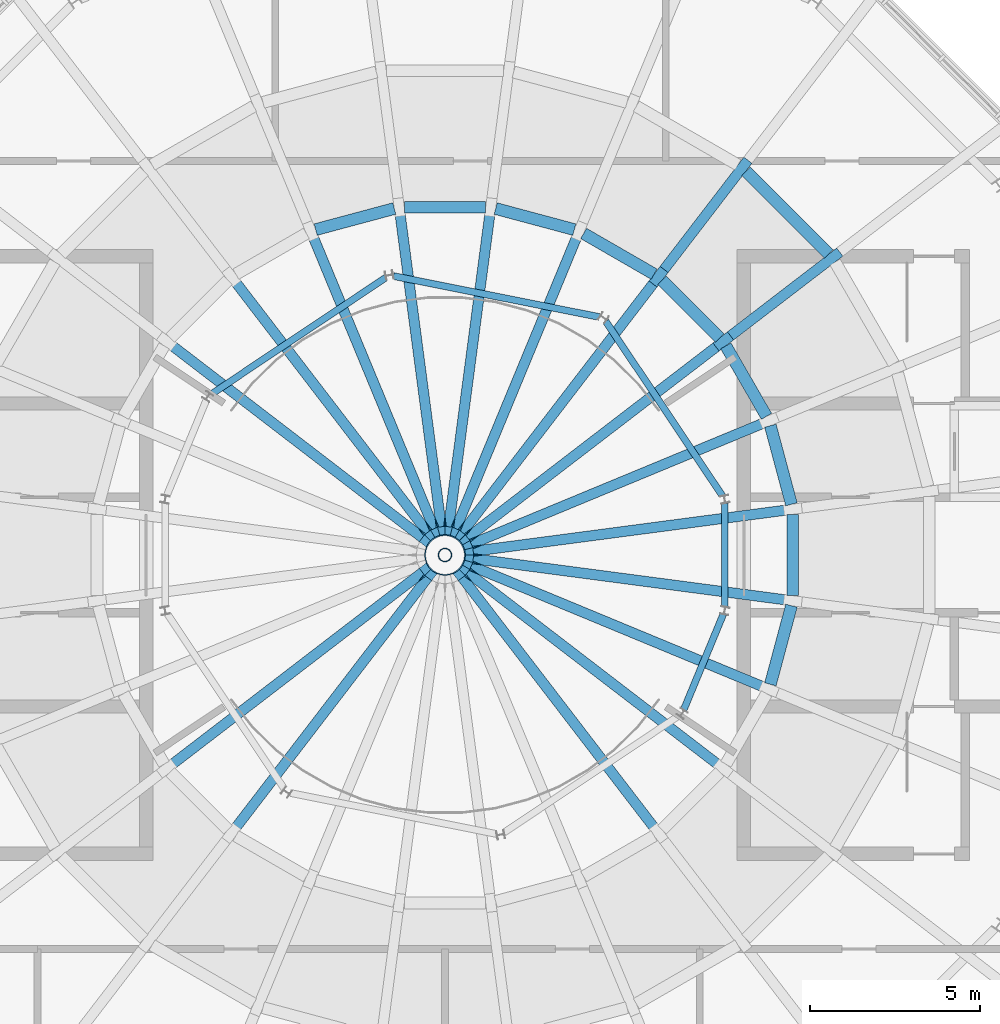
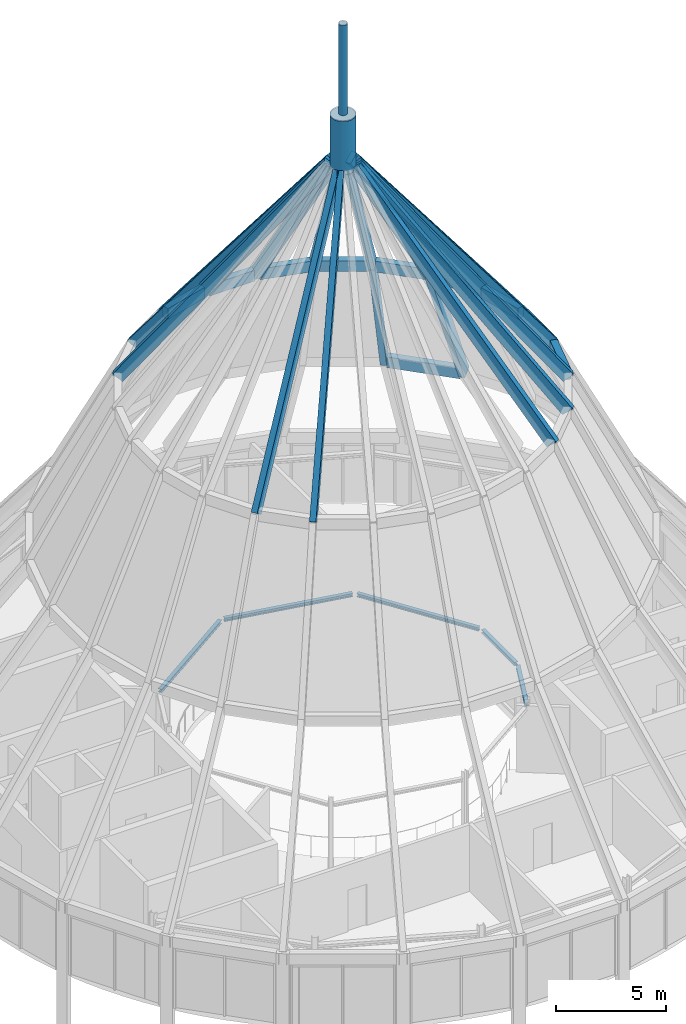
# One storey, part 7 of 16: 30 members, 5 beams.
"""IFC4 building model written with IfcOpenShell, lengths in metres."""

from ifc_helpers import new_model, si_unit, direction, frame, origin, origin_2d, place, context, subcontext, project, spatial, rectangle, hollow_circle, i_section, extrude, material, material_profile, profile_set, type_object, element, save


model = new_model("IFC4")

# Units and contexts
model_context = context("Model", 3, precision=1e-05, world=origin(), true_north=direction((0.0, 1.0)))
body_context = subcontext(model_context, "Body", "Model", "MODEL_VIEW")
ifc_project = project(units=[si_unit("LENGTHUNIT", "METRE"), si_unit("AREAUNIT", "SQUARE_METRE"), si_unit("VOLUMEUNIT", "CUBIC_METRE"), si_unit("PLANEANGLEUNIT", "RADIAN"), si_unit("MASSUNIT", "GRAM", prefix="KILO")], contexts=[model_context])

# Site, building, storey
site_placement = place(None, origin())
site = spatial("IfcSite", under=ifc_project, at=site_placement, CompositionType="ELEMENT")
building_placement = place(site_placement, origin())
building = spatial("IfcBuilding", under=site, at=building_placement, Name="Maasbend Ring Residences", CompositionType="ELEMENT")
storey_placement = place(building_placement, frame((0.0, 0.0, 269.5)))
storey = spatial("IfcBuildingStorey", under=building, at=storey_placement, Name="L77", CompositionType="ELEMENT", Elevation=269.5)

# Members
ifc_material_1 = material(Name="Steel S355J2", Category="steel")
ifc_material_profile_1 = material_profile(ifc_material_1, rectangle(XDim=0.300048828125, YDim=0.60009765625, at=origin_2d()), Name="Box 300x600x12")
ifc_profile_set_1 = profile_set([ifc_material_profile_1], Name="Steel S355J2")
member_type_1 = type_object("IfcMemberType", Name="CROWN-RIB", PredefinedType="USERDEFINED", material=ifc_profile_set_1)
for number, where, z_axis, x_axis, name in (
    (1, (10.2412109375, 1.348388671875, 20.554931640625), (-0.601204847121, -0.079154352325, 0.795164964209), (0.130533053324, -0.991443958068, 0.0), "Crown frame rib"),
    (2, (9.543212890625, 3.952880859375, 20.554931640625), (-0.560229200064, -0.232061913471, 0.795166970964), (0.382693821485, -0.923875229128, 0.0), "Crown frame rib"),
):
    element("IfcMember", number, at=place(storey_placement, frame(where, z_axis=z_axis, x_axis=x_axis)), inside=storey, type_object=member_type_1, Name=name, ObjectType="CROWN FRAME", PredefinedType="USERDEFINED", context=body_context, shape_type="SweptSolid", body=[
        extrude(rectangle(XDim=0.300048828125, YDim=0.60009765625, at=origin_2d()), origin(), (0.0, 0.0, 1.0), 16.044921875),
    ])
member_1_placement = place(storey_placement, frame((11.411376953125, 8.756103515625, 12.427978515625), z_axis=(-0.354142742802, -0.271722699578, 0.894846183573), x_axis=(0.608732403374, -0.7933756116, 0.0)))
element("IfcMember", 3, at=member_1_placement, inside=storey, type_object=member_type_1, Name="Crown frame rib", ObjectType="CROWN FRAME", PredefinedType="USERDEFINED", context=body_context, shape_type="SweptSolid", body=[
    extrude(rectangle(XDim=0.300048828125, YDim=0.60009765625, at=origin_2d()), origin(), (0.0, 0.0, 1.0), 9.08203125),
])
member_2_placement = place(storey_placement, frame((8.195068359375, 6.288330078125, 20.554931640625), z_axis=(-0.481085816097, -0.369156560848, 0.795160280153), x_axis=(0.608768103624, -0.793348218634, 0.0)))
element("IfcMember", 4, at=member_2_placement, inside=storey, type_object=member_type_1, Name="Crown frame rib", ObjectType="CROWN FRAME", PredefinedType="USERDEFINED", context=body_context, shape_type="SweptSolid", body=[
    extrude(rectangle(XDim=0.300048828125, YDim=0.60009765625, at=origin_2d()), origin(), (0.0, 0.0, 1.0), 16.044921875),
])
member_3_placement = place(storey_placement, frame((8.756103515625, 11.411376953125, 12.427978515625), z_axis=(-0.271722699578, -0.354142742802, 0.894846183573), x_axis=(0.7933756116, -0.608732403374, 0.0)))
element("IfcMember", 5, at=member_3_placement, inside=storey, type_object=member_type_1, Name="Crown frame rib", ObjectType="CROWN FRAME", PredefinedType="USERDEFINED", context=body_context, shape_type="SweptSolid", body=[
    extrude(rectangle(XDim=0.300048828125, YDim=0.60009765625, at=origin_2d()), origin(), (0.0, 0.0, 1.0), 9.08203125),
])
for number, where, z_axis, x_axis, name in (
    (6, (6.288330078125, 8.195068359375, 20.554931640625), (-0.369156560848, -0.481085816097, 0.795160280153), (0.793348218634, -0.608768103624, 0.0), "Crown frame rib"),
    (7, (3.952880859375, 9.543212890625, 20.554931640625), (-0.232061913471, -0.560229200064, 0.795166970964), (0.923875229128, -0.382693821485, 0.0), "Crown frame rib"),
    (8, (1.348388671875, 10.2412109375, 20.554931640625), (-0.079154352325, -0.601204847121, 0.795164964209), (0.991443958068, -0.130533053324, 0.0), "Crown frame rib"),
    (9, (-1.348388671875, 10.2412109375, 20.554931640625), (0.079154352325, -0.601204847121, 0.795164964209), (0.991443958068, 0.130533053324, 0.0), "Crown frame rib"),
    (10, (-3.952880859375, 9.543212890625, 20.554931640625), (0.232061913471, -0.560229200064, 0.795166970964), (0.923875229128, 0.382693821485, 0.0), "Crown frame rib"),
    (11, (-6.288330078125, 8.195068359375, 20.554931640625), (0.369156560848, -0.481085816097, 0.795160280153), (0.793348218634, 0.608768103624, 0.0), "Crown frame rib"),
    (12, (-8.195068359375, 6.288330078125, 20.554931640625), (0.481085816097, -0.369156560848, 0.795160280153), (0.608768103624, 0.793348218634, 0.0), "Crown frame rib"),
    (13, (-8.195068359375, -6.288330078125, 20.554931640625), (0.481085816097, 0.369156560848, 0.795160280153), (-0.608768103624, 0.793348218634, 0.0), "Crown frame rib"),
    (14, (-6.288330078125, -8.195068359375, 20.554931640625), (0.369156560848, 0.481085816097, 0.795160280153), (-0.793348218634, 0.608768103624, 0.0), "Crown frame rib"),
    (15, (6.288330078125, -8.195068359375, 20.554931640625), (-0.369156560848, 0.481085816097, 0.795160280153), (-0.793348218634, -0.608768103624, 0.0), "Crown frame rib"),
    (16, (8.195068359375, -6.288330078125, 20.554931640625), (-0.481085816097, 0.369156560848, 0.795160280153), (-0.608768103624, -0.793348218634, 0.0), "Crown frame rib"),
    (17, (9.543212890625, -3.952880859375, 20.554931640625), (-0.560229200064, 0.232061913471, 0.795166970964), (-0.382693821485, -0.923875229128, 0.0), "Crown frame rib"),
    (18, (10.2412109375, -1.348388671875, 20.554931640625), (-0.601204847121, 0.079154352325, 0.795164964209), (-0.130533053324, -0.991443958068, 0.0), "Crown frame rib"),
):
    element("IfcMember", number, at=place(storey_placement, frame(where, z_axis=z_axis, x_axis=x_axis)), inside=storey, type_object=member_type_1, Name=name, ObjectType="CROWN FRAME", PredefinedType="USERDEFINED", context=body_context, shape_type="SweptSolid", body=[
        extrude(rectangle(XDim=0.300048828125, YDim=0.60009765625, at=origin_2d()), origin(), (0.0, 0.0, 1.0), 16.044921875),
    ])
ifc_material_2 = material(Name="Steel S355J2", Category="steel")
ifc_material_profile_2 = material_profile(ifc_material_2, rectangle(XDim=0.35009765625, YDim=0.60009765625, at=origin_2d()), Name="Box 350x600x16")
ifc_profile_set_2 = profile_set([ifc_material_profile_2], Name="Steel S355J2")
member_type_2 = type_object("IfcMemberType", Name="CROWN-RING", PredefinedType="USERDEFINED", material=ifc_profile_set_2)
member_4_placement = place(storey_placement, frame((11.30517578125, 8.8623046875, 12.427978515625), z_axis=(-0.707106781187, 0.707106781187, 0.0), x_axis=(-0.707106781187, -0.707106781187, 0.0)))
element("IfcMember", 19, at=member_4_placement, inside=storey, type_object=member_type_2, Name="Crown frame ring beam", ObjectType="CROWN FRAME", PredefinedType="USERDEFINED", context=body_context, shape_type="SweptSolid", body=[
    extrude(rectangle(XDim=0.35009765625, YDim=0.60009765625, at=origin_2d()), origin(), (0.0, 0.0, 1.0), 3.454833984375),
])
for number, where, z_axis, x_axis, name in (
    (20, (10.202392578125, 1.4931640625, 20.554931640625), (-0.258848105601, 0.965918039083, 0.0), (-0.965918039083, -0.258848105601, 0.0), "Crown frame ring beam"),
    (21, (9.46826171875, 4.082763671875, 20.554931640625), (-0.499951716245, 0.866053278629, 0.0), (-0.866053278629, -0.499951716245, 0.0), "Crown frame ring beam"),
):
    element("IfcMember", number, at=place(storey_placement, frame(where, z_axis=z_axis, x_axis=x_axis)), inside=storey, type_object=member_type_2, Name=name, ObjectType="CROWN FRAME", PredefinedType="USERDEFINED", context=body_context, shape_type="SweptSolid", body=[
        extrude(rectangle(XDim=0.35009765625, YDim=0.60009765625, at=origin_2d()), origin(), (0.0, 0.0, 1.0), 2.396728515625),
    ])
member_5_placement = place(storey_placement, frame((8.0888671875, 6.394287109375, 20.554931640625), z_axis=(-0.707106781187, 0.707106781187, 0.0), x_axis=(-0.707106781187, -0.707106781187, 0.0)))
element("IfcMember", 22, at=member_5_placement, inside=storey, type_object=member_type_2, Name="Crown frame ring beam", ObjectType="CROWN FRAME", PredefinedType="USERDEFINED", context=body_context, shape_type="SweptSolid", body=[
    extrude(rectangle(XDim=0.35009765625, YDim=0.60009765625, at=origin_2d()), origin(), (0.0, 0.0, 1.0), 2.396484375),
])
for number, where, z_axis, x_axis, name in (
    (23, (6.158447265625, 8.27001953125, 20.554931640625), (-0.866053278629, 0.499951716245, 0.0), (-0.499951716245, -0.866053278629, 0.0), "Crown frame ring beam"),
    (24, (3.80810546875, 9.58203125, 20.554931640625), (-0.965918039083, 0.258848105601, 0.0), (-0.258848105601, -0.965918039083, 0.0), "Crown frame ring beam"),
):
    element("IfcMember", number, at=place(storey_placement, frame(where, z_axis=z_axis, x_axis=x_axis)), inside=storey, type_object=member_type_2, Name=name, ObjectType="CROWN FRAME", PredefinedType="USERDEFINED", context=body_context, shape_type="SweptSolid", body=[
        extrude(rectangle(XDim=0.35009765625, YDim=0.60009765625, at=origin_2d()), origin(), (0.0, 0.0, 1.0), 2.396728515625),
    ])
member_6_placement = place(storey_placement, frame((1.1982421875, 10.2412109375, 20.554931640625), z_axis=(-1.0, 0.0, 0.0), x_axis=(0.0, -1.0, 0.0)))
element("IfcMember", 25, at=member_6_placement, inside=storey, type_object=member_type_2, Name="Crown frame ring beam", ObjectType="CROWN FRAME", PredefinedType="USERDEFINED", context=body_context, shape_type="SweptSolid", body=[
    extrude(rectangle(XDim=0.35009765625, YDim=0.60009765625, at=origin_2d()), origin(), (0.0, 0.0, 1.0), 2.396484375),
])
for number, where, z_axis, x_axis, name in (
    (26, (-1.4931640625, 10.202392578125, 20.554931640625), (-0.965918039083, -0.258848105601, 0.0), (0.258848105601, -0.965918039083, 0.0), "Crown frame ring beam"),
    (27, (9.58203125, -3.80810546875, 20.554931640625), (0.258848105601, 0.965918039083, 0.0), (-0.965918039083, 0.258848105601, 0.0), "Crown frame ring beam"),
):
    element("IfcMember", number, at=place(storey_placement, frame(where, z_axis=z_axis, x_axis=x_axis)), inside=storey, type_object=member_type_2, Name=name, ObjectType="CROWN FRAME", PredefinedType="USERDEFINED", context=body_context, shape_type="SweptSolid", body=[
        extrude(rectangle(XDim=0.35009765625, YDim=0.60009765625, at=origin_2d()), origin(), (0.0, 0.0, 1.0), 2.396728515625),
    ])
member_7_placement = place(storey_placement, frame((10.2412109375, -1.1982421875, 20.554931640625), z_axis=(0.0, 1.0, 0.0), x_axis=(-1.0, 0.0, 0.0)))
element("IfcMember", 28, at=member_7_placement, inside=storey, type_object=member_type_2, Name="Crown frame ring beam", ObjectType="CROWN FRAME", PredefinedType="USERDEFINED", context=body_context, shape_type="SweptSolid", body=[
    extrude(rectangle(XDim=0.35009765625, YDim=0.60009765625, at=origin_2d()), origin(), (0.0, 0.0, 1.0), 2.396484375),
])
ifc_material_3 = material(Name="Steel S355J2H", Category="steel")
ifc_material_profile_3 = material_profile(ifc_material_3, hollow_circle(Radius=0.60009765625, WallThickness=0.030029296875, at=origin_2d()), Name="CHS 1200x30")
ifc_profile_set_3 = profile_set([ifc_material_profile_3], Name="Steel S355J2H")
member_type_3 = type_object("IfcMemberType", Name="SPIRE-COLLAR", PredefinedType="USERDEFINED", material=ifc_profile_set_3)
member_8_placement = place(storey_placement, frame((0.0, 0.0, 33.10009765625), z_axis=(0.0, 0.0, 1.0), x_axis=(1.0, 0.0, 0.0)))
element("IfcMember", 29, at=member_8_placement, inside=storey, type_object=member_type_3, Name="Spire collar", ObjectType="SPIRE", PredefinedType="USERDEFINED", context=body_context, shape_type="SweptSolid", body=[
    extrude(hollow_circle(Radius=0.60009765625, WallThickness=0.030029296875, at=origin_2d()), origin(), (0.0, 0.0, 1.0), 2.9599609375),
])
ifc_material_4 = material(Name="Steel S355J2H", Category="steel")
ifc_material_profile_4 = material_profile(ifc_material_4, hollow_circle(Radius=0.199951171875, WallThickness=0.01611328125, at=origin_2d()), Name="CHS 406x16")
ifc_profile_set_4 = profile_set([ifc_material_profile_4], Name="Steel S355J2H")
member_type_4 = type_object("IfcMemberType", Name="SPIRE-MAST", PredefinedType="USERDEFINED", material=ifc_profile_set_4)
member_9_placement = place(storey_placement, frame((0.0, 0.0, 36.10009765625), z_axis=(0.0, 0.0, 1.0), x_axis=(1.0, 0.0, 0.0)))
element("IfcMember", 30, at=member_9_placement, inside=storey, type_object=member_type_4, Name="Spire mast", ObjectType="SPIRE", PredefinedType="USERDEFINED", context=body_context, shape_type="SweptSolid", body=[
    extrude(hollow_circle(Radius=0.199951171875, WallThickness=0.01611328125, at=origin_2d()), origin(), (0.0, 0.0, 1.0), 5.0),
])

# Beams
ifc_material_5 = material(Name="Steel S355J2", Category="steel")
ifc_material_profile_5 = material_profile(ifc_material_5, i_section(OverallWidth=0.199951171875, OverallDepth=0.18994140625, WebThickness=0.006591796875, FlangeThickness=0.010009765625, FilletRadius=0.01806640625, at=origin_2d()), Name="HEA 200")
ifc_profile_set_5 = profile_set([ifc_material_profile_5], Name="Steel S355J2")
beam_type = type_object("IfcBeamType", Name="Well edge beam HEA 200", PredefinedType="BEAM", material=ifc_profile_set_5)
for number, where, z_axis, x_axis, name in (
    (31, (8.16943359375, 1.7421875, 3.554931640625), (-0.555547729421, 0.831484648286, 0.0), (-0.831484648286, -0.555547729421, 0.0), "Well edge beam"),
    (32, (4.544677734375, 7.008544921875, 3.554931640625), (-0.98078072474, 0.195113223486, 0.0), (-0.195113223486, -0.98078072474, 0.0), "Well edge beam"),
    (33, (-1.7421875, 8.16943359375, 3.554931640625), (-0.831484648286, -0.555547729421, 0.0), (0.555547729421, -0.831484648286, 0.0), "Well edge beam"),
):
    element("IfcBeam", number, at=place(storey_placement, frame(where, z_axis=z_axis, x_axis=x_axis)), inside=storey, type_object=beam_type, Name=name, PredefinedType="BEAM", context=body_context, shape_type="SweptSolid", body=[
        extrude(i_section(OverallWidth=0.199951171875, OverallDepth=0.18994140625, WebThickness=0.006591796875, FlangeThickness=0.010009765625, FilletRadius=0.01806640625, at=origin_2d()), origin(), (0.0, 0.0, 1.0), 6.18017578125),
    ])
for number, where, z_axis, x_axis, name in (
    (34, (7.029296875, -4.55859375, 3.554931640625), (0.382609241817, 0.923910259753, 0.0), (-0.923910259753, 0.382609241817, 0.0), "Well edge beam"),
    (35, (8.238525390625, -1.521484375, 3.554931640625), (0.0, 1.0, 0.0), (-1.0, 0.0, 0.0), "Well edge beam"),
):
    element("IfcBeam", number, at=place(storey_placement, frame(where, z_axis=z_axis, x_axis=x_axis)), inside=storey, type_object=beam_type, Name=name, PredefinedType="BEAM", context=body_context, shape_type="SweptSolid", body=[
        extrude(i_section(OverallWidth=0.199951171875, OverallDepth=0.18994140625, WebThickness=0.006591796875, FlangeThickness=0.010009765625, FilletRadius=0.01806640625, at=origin_2d()), origin(), (0.0, 0.0, 1.0), 3.04296875),
    ])

save(model, "model.ifc")
